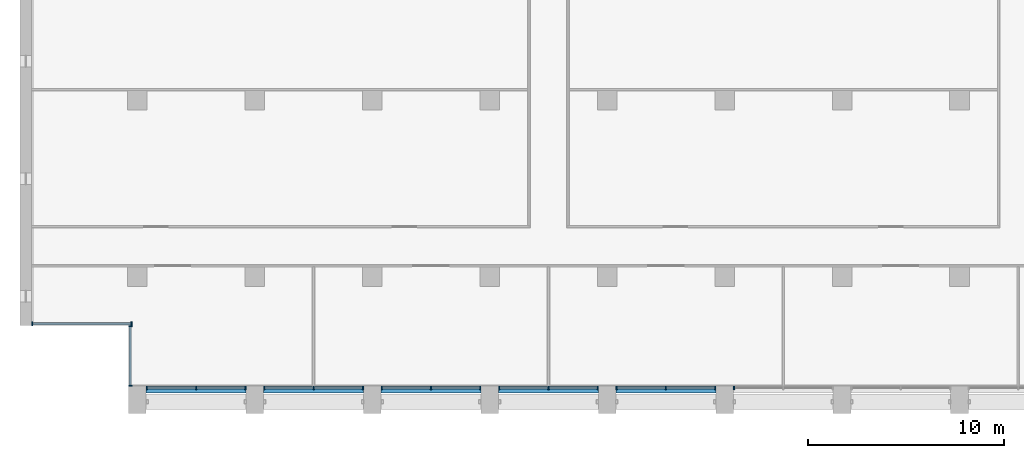
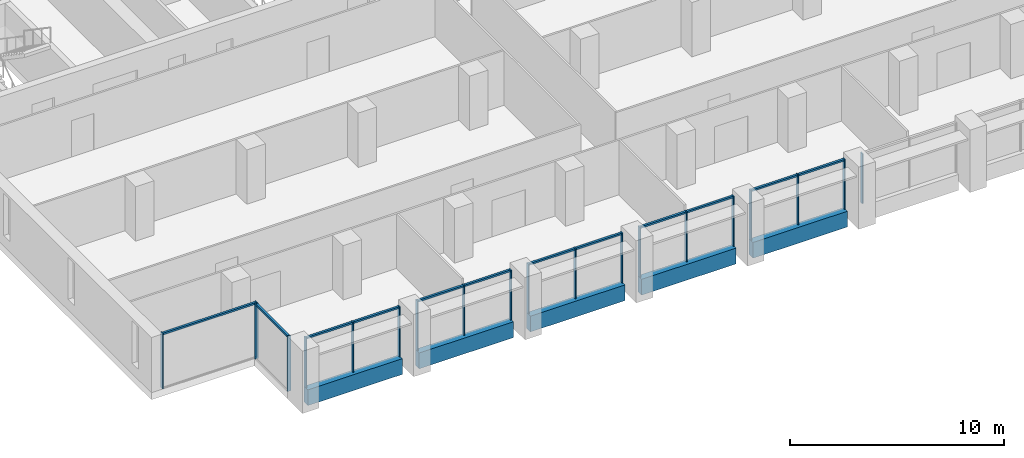
# One storey, part 2 of 16: 32 members, 5 beams, 8 elements without a shape of their own.
"""IFC4 building model written with IfcOpenShell, lengths in metres."""

from ifc_helpers import new_model, si_unit, direction, frame, origin, origin_2d, place, context, subcontext, project, spatial, rectangle, extrude, material, material_profile, profile_set, type_object, element, aggregate, save


model = new_model("IFC4")

# Units and contexts
model_context = context("Model", 3, precision=1e-05, world=origin(), true_north=direction((0.0, 1.0)))
body_context = subcontext(model_context, "Body", "Model", "MODEL_VIEW")
ifc_project = project(units=[si_unit("LENGTHUNIT", "METRE"), si_unit("AREAUNIT", "SQUARE_METRE"), si_unit("VOLUMEUNIT", "CUBIC_METRE"), si_unit("PLANEANGLEUNIT", "RADIAN"), si_unit("MASSUNIT", "GRAM", prefix="KILO")], contexts=[model_context])

# Site, building, storey
site_placement = place(None, origin())
site = spatial("IfcSite", under=ifc_project, at=site_placement, CompositionType="ELEMENT")
building_placement = place(site_placement, origin())
building = spatial("IfcBuilding", under=site, at=building_placement, Name="Calvaro Tower", CompositionType="ELEMENT")
storey_placement = place(building_placement, frame((0.0, 0.0, 223.0)))
storey = spatial("IfcBuildingStorey", under=building, at=storey_placement, Name="L56", CompositionType="ELEMENT", Elevation=223.0)

# Curtain wall, members
ifc_material_1 = material(Name="Anodised aluminium", Category="aluminium")
curtain_wall_type = type_object("IfcCurtainWallType", Name="Office curtain wall, upper zone", PredefinedType="NOTDEFINED", material=ifc_material_1)
curtain_wall_1_placement = place(storey_placement, origin())
curtain_wall_1 = element("IfcCurtainWall", 1, at=curtain_wall_1_placement, inside=storey, type_object=curtain_wall_type, Name="CW3 south curtain wall", PredefinedType="NOTDEFINED")
ifc_material_2 = material(Name="Anodised aluminium", Category="aluminium")
ifc_material_profile_1 = material_profile(ifc_material_2, rectangle(XDim=0.179931640625, YDim=0.06005859375, at=origin_2d()), Name="Mullion S3 60 x 180")
ifc_profile_set_1 = profile_set([ifc_material_profile_1], Name="Anodised aluminium")
member_type_1 = type_object("IfcMemberType", Name="Mullion S3 60 x 180", PredefinedType="MULLION", material=ifc_profile_set_1)
member_1_placement = place(storey_placement, frame((12.47998046875, 4.31005859375, 0.0), z_axis=(0.0, 0.0, 1.0), x_axis=(0.0, 1.0, 0.0)))
member_1 = element("IfcMember", 2, at=member_1_placement, type_object=member_type_1, Name="CW3 mullion 1", PredefinedType="MULLION", context=body_context, shape_type="SweptSolid", body=[
    extrude(rectangle(XDim=0.179931640625, YDim=0.06005859375, at=origin_2d()), origin(), (0.0, 0.0, 1.0), 2.85009765625),
])
member_2_placement = place(storey_placement, frame((15.0, 4.31005859375, 0.0), z_axis=(0.0, 0.0, 1.0), x_axis=(0.0, 1.0, 0.0)))
member_2 = element("IfcMember", 3, at=member_2_placement, type_object=member_type_1, Name="CW3 mullion 2", PredefinedType="MULLION", context=body_context, shape_type="SweptSolid", body=[
    extrude(rectangle(XDim=0.179931640625, YDim=0.06005859375, at=origin_2d()), origin(), (0.0, 0.0, 1.0), 2.85009765625),
])
member_3_placement = place(storey_placement, frame((17.52001953125, 4.31005859375, 0.0), z_axis=(0.0, 0.0, 1.0), x_axis=(0.0, 1.0, 0.0)))
member_3 = element("IfcMember", 4, at=member_3_placement, type_object=member_type_1, Name="CW3 mullion 3", PredefinedType="MULLION", context=body_context, shape_type="SweptSolid", body=[
    extrude(rectangle(XDim=0.179931640625, YDim=0.06005859375, at=origin_2d()), origin(), (0.0, 0.0, 1.0), 2.85009765625),
])

curtain_wall_2_placement = place(storey_placement, origin())
curtain_wall_2 = element("IfcCurtainWall", 5, at=curtain_wall_2_placement, inside=storey, type_object=curtain_wall_type, Name="CW3 south curtain wall", PredefinedType="NOTDEFINED")
member_4_placement = place(storey_placement, frame((18.47998046875, 4.31005859375, 0.0), z_axis=(0.0, 0.0, 1.0), x_axis=(0.0, 1.0, 0.0)))
member_4 = element("IfcMember", 6, at=member_4_placement, type_object=member_type_1, Name="CW3 mullion 1", PredefinedType="MULLION", context=body_context, shape_type="SweptSolid", body=[
    extrude(rectangle(XDim=0.179931640625, YDim=0.06005859375, at=origin_2d()), origin(), (0.0, 0.0, 1.0), 2.85009765625),
])
member_5_placement = place(storey_placement, frame((21.0, 4.31005859375, 0.0), z_axis=(0.0, 0.0, 1.0), x_axis=(0.0, 1.0, 0.0)))
member_5 = element("IfcMember", 7, at=member_5_placement, type_object=member_type_1, Name="CW3 mullion 2", PredefinedType="MULLION", context=body_context, shape_type="SweptSolid", body=[
    extrude(rectangle(XDim=0.179931640625, YDim=0.06005859375, at=origin_2d()), origin(), (0.0, 0.0, 1.0), 2.85009765625),
])
member_6_placement = place(storey_placement, frame((23.52001953125, 4.31005859375, 0.0), z_axis=(0.0, 0.0, 1.0), x_axis=(0.0, 1.0, 0.0)))
member_6 = element("IfcMember", 8, at=member_6_placement, type_object=member_type_1, Name="CW3 mullion 3", PredefinedType="MULLION", context=body_context, shape_type="SweptSolid", body=[
    extrude(rectangle(XDim=0.179931640625, YDim=0.06005859375, at=origin_2d()), origin(), (0.0, 0.0, 1.0), 2.85009765625),
])

curtain_wall_3_placement = place(storey_placement, origin())
curtain_wall_3 = element("IfcCurtainWall", 9, at=curtain_wall_3_placement, inside=storey, type_object=curtain_wall_type, Name="CW3 south curtain wall", PredefinedType="NOTDEFINED")
member_7_placement = place(storey_placement, frame((24.47998046875, 4.31005859375, 0.0), z_axis=(0.0, 0.0, 1.0), x_axis=(0.0, 1.0, 0.0)))
member_7 = element("IfcMember", 10, at=member_7_placement, type_object=member_type_1, Name="CW3 mullion 1", PredefinedType="MULLION", context=body_context, shape_type="SweptSolid", body=[
    extrude(rectangle(XDim=0.179931640625, YDim=0.06005859375, at=origin_2d()), origin(), (0.0, 0.0, 1.0), 2.85009765625),
])
member_8_placement = place(storey_placement, frame((27.0, 4.31005859375, 0.0), z_axis=(0.0, 0.0, 1.0), x_axis=(0.0, 1.0, 0.0)))
member_8 = element("IfcMember", 11, at=member_8_placement, type_object=member_type_1, Name="CW3 mullion 2", PredefinedType="MULLION", context=body_context, shape_type="SweptSolid", body=[
    extrude(rectangle(XDim=0.179931640625, YDim=0.06005859375, at=origin_2d()), origin(), (0.0, 0.0, 1.0), 2.85009765625),
])
member_9_placement = place(storey_placement, frame((29.52001953125, 4.31005859375, 0.0), z_axis=(0.0, 0.0, 1.0), x_axis=(0.0, 1.0, 0.0)))
member_9 = element("IfcMember", 12, at=member_9_placement, type_object=member_type_1, Name="CW3 mullion 3", PredefinedType="MULLION", context=body_context, shape_type="SweptSolid", body=[
    extrude(rectangle(XDim=0.179931640625, YDim=0.06005859375, at=origin_2d()), origin(), (0.0, 0.0, 1.0), 2.85009765625),
])

curtain_wall_4_placement = place(storey_placement, origin())
curtain_wall_4 = element("IfcCurtainWall", 13, at=curtain_wall_4_placement, inside=storey, type_object=curtain_wall_type, Name="CW3 south curtain wall", PredefinedType="NOTDEFINED")
member_10_placement = place(storey_placement, frame((30.47998046875, 4.31005859375, 0.0), z_axis=(0.0, 0.0, 1.0), x_axis=(0.0, 1.0, 0.0)))
member_10 = element("IfcMember", 14, at=member_10_placement, type_object=member_type_1, Name="CW3 mullion 1", PredefinedType="MULLION", context=body_context, shape_type="SweptSolid", body=[
    extrude(rectangle(XDim=0.179931640625, YDim=0.06005859375, at=origin_2d()), origin(), (0.0, 0.0, 1.0), 2.85009765625),
])
member_11_placement = place(storey_placement, frame((33.0, 4.31005859375, 0.0), z_axis=(0.0, 0.0, 1.0), x_axis=(0.0, 1.0, 0.0)))
member_11 = element("IfcMember", 15, at=member_11_placement, type_object=member_type_1, Name="CW3 mullion 2", PredefinedType="MULLION", context=body_context, shape_type="SweptSolid", body=[
    extrude(rectangle(XDim=0.179931640625, YDim=0.06005859375, at=origin_2d()), origin(), (0.0, 0.0, 1.0), 2.85009765625),
])
member_12_placement = place(storey_placement, frame((35.52001953125, 4.31005859375, 0.0), z_axis=(0.0, 0.0, 1.0), x_axis=(0.0, 1.0, 0.0)))
member_12 = element("IfcMember", 16, at=member_12_placement, type_object=member_type_1, Name="CW3 mullion 3", PredefinedType="MULLION", context=body_context, shape_type="SweptSolid", body=[
    extrude(rectangle(XDim=0.179931640625, YDim=0.06005859375, at=origin_2d()), origin(), (0.0, 0.0, 1.0), 2.85009765625),
])

curtain_wall_5_placement = place(storey_placement, origin())
curtain_wall_5 = element("IfcCurtainWall", 17, at=curtain_wall_5_placement, inside=storey, type_object=curtain_wall_type, Name="CW3 south curtain wall", PredefinedType="NOTDEFINED")
member_13_placement = place(storey_placement, frame((36.47998046875, 4.31005859375, 0.0), z_axis=(0.0, 0.0, 1.0), x_axis=(0.0, 1.0, 0.0)))
member_13 = element("IfcMember", 18, at=member_13_placement, type_object=member_type_1, Name="CW3 mullion 1", PredefinedType="MULLION", context=body_context, shape_type="SweptSolid", body=[
    extrude(rectangle(XDim=0.179931640625, YDim=0.06005859375, at=origin_2d()), origin(), (0.0, 0.0, 1.0), 2.85009765625),
])
member_14_placement = place(storey_placement, frame((39.0, 4.31005859375, 0.0), z_axis=(0.0, 0.0, 1.0), x_axis=(0.0, 1.0, 0.0)))
member_14 = element("IfcMember", 19, at=member_14_placement, type_object=member_type_1, Name="CW3 mullion 2", PredefinedType="MULLION", context=body_context, shape_type="SweptSolid", body=[
    extrude(rectangle(XDim=0.179931640625, YDim=0.06005859375, at=origin_2d()), origin(), (0.0, 0.0, 1.0), 2.85009765625),
])
member_15_placement = place(storey_placement, frame((41.52001953125, 4.31005859375, 0.0), z_axis=(0.0, 0.0, 1.0), x_axis=(0.0, 1.0, 0.0)))
member_15 = element("IfcMember", 20, at=member_15_placement, type_object=member_type_1, Name="CW3 mullion 3", PredefinedType="MULLION", context=body_context, shape_type="SweptSolid", body=[
    extrude(rectangle(XDim=0.179931640625, YDim=0.06005859375, at=origin_2d()), origin(), (0.0, 0.0, 1.0), 2.85009765625),
])

# Curtain wall, member
curtain_wall_6_placement = place(storey_placement, origin())
curtain_wall_6 = element("IfcCurtainWall", 21, at=curtain_wall_6_placement, inside=storey, type_object=curtain_wall_type, Name="CW3 south curtain wall", PredefinedType="NOTDEFINED")
member_16_placement = place(storey_placement, frame((42.47998046875, 4.31005859375, 0.0), z_axis=(0.0, 0.0, 1.0), x_axis=(0.0, 1.0, 0.0)))
member_16 = element("IfcMember", 22, at=member_16_placement, type_object=member_type_1, Name="CW3 mullion 1", PredefinedType="MULLION", context=body_context, shape_type="SweptSolid", body=[
    extrude(rectangle(XDim=0.179931640625, YDim=0.06005859375, at=origin_2d()), origin(), (0.0, 0.0, 1.0), 2.85009765625),
])
aggregate(curtain_wall_6, [member_16])

# Curtain wall, members
curtain_wall_7_placement = place(storey_placement, origin())
curtain_wall_7 = element("IfcCurtainWall", 23, at=curtain_wall_7_placement, inside=storey, type_object=curtain_wall_type, Name="CW3 corner curtain wall", PredefinedType="NOTDEFINED")
member_17_placement = place(storey_placement, frame((11.639892578125, 4.429931640625, 0.0), z_axis=(0.0, 0.0, 1.0), x_axis=(-1.0, 0.0, 0.0)))
member_17 = element("IfcMember", 24, at=member_17_placement, type_object=member_type_1, Name="CW3 mullion 1", PredefinedType="MULLION", context=body_context, shape_type="SweptSolid", body=[
    extrude(rectangle(XDim=0.179931640625, YDim=0.06005859375, at=origin_2d()), origin(), (0.0, 0.0, 1.0), 3.14990234375),
])
member_18_placement = place(storey_placement, frame((11.639892578125, 7.469970703125, 0.0), z_axis=(0.0, 0.0, 1.0), x_axis=(-1.0, 0.0, 0.0)))
member_18 = element("IfcMember", 25, at=member_18_placement, type_object=member_type_1, Name="CW3 mullion 2", PredefinedType="MULLION", context=body_context, shape_type="SweptSolid", body=[
    extrude(rectangle(XDim=0.179931640625, YDim=0.06005859375, at=origin_2d()), origin(), (0.0, 0.0, 1.0), 3.14990234375),
])

curtain_wall_8_placement = place(storey_placement, origin())
curtain_wall_8 = element("IfcCurtainWall", 26, at=curtain_wall_8_placement, inside=storey, type_object=curtain_wall_type, Name="CW3 corner curtain wall", PredefinedType="NOTDEFINED")
member_19_placement = place(storey_placement, frame((6.6298828125, 7.590087890625, 0.0), z_axis=(0.0, 0.0, 1.0), x_axis=(0.0, 1.0, 0.0)))
member_19 = element("IfcMember", 27, at=member_19_placement, type_object=member_type_1, Name="CW3 mullion 1", PredefinedType="MULLION", context=body_context, shape_type="SweptSolid", body=[
    extrude(rectangle(XDim=0.179931640625, YDim=0.06005859375, at=origin_2d()), origin(), (0.0, 0.0, 1.0), 3.14990234375),
])
member_20_placement = place(storey_placement, frame((11.699951171875, 7.590087890625, 0.0), z_axis=(0.0, 0.0, 1.0), x_axis=(0.0, 1.0, 0.0)))
member_20 = element("IfcMember", 28, at=member_20_placement, type_object=member_type_1, Name="CW3 mullion 2", PredefinedType="MULLION", context=body_context, shape_type="SweptSolid", body=[
    extrude(rectangle(XDim=0.179931640625, YDim=0.06005859375, at=origin_2d()), origin(), (0.0, 0.0, 1.0), 3.14990234375),
])

# Beams
ifc_material_3 = material(Name="Concrete C50/60 precast", Category="concrete")
ifc_material_profile_2 = material_profile(ifc_material_3, rectangle(XDim=0.35009765625, YDim=0.89990234375, at=origin_2d()), Name="RC 350x900")
ifc_profile_set_2 = profile_set([ifc_material_profile_2], Name="Concrete C50/60 precast")
beam_type = type_object("IfcBeamType", Name="Spandrel beam 350x900 C50/60", PredefinedType="SPANDREL", material=ifc_profile_set_2)
for number, where, z_axis, x_axis, name in (
    (29, (12.449951171875, 4.22509765625, -0.449951171875), (1.0, 0.0, 0.0), (0.0, 1.0, 0.0), "Spandrel beam"),
    (30, (18.449951171875, 4.22509765625, -0.449951171875), (1.0, 0.0, 0.0), (0.0, 1.0, 0.0), "Spandrel beam"),
    (31, (24.449951171875, 4.22509765625, -0.449951171875), (1.0, 0.0, 0.0), (0.0, 1.0, 0.0), "Spandrel beam"),
    (32, (30.449951171875, 4.22509765625, -0.449951171875), (1.0, 0.0, 0.0), (0.0, 1.0, 0.0), "Spandrel beam"),
    (33, (36.449951171875, 4.22509765625, -0.449951171875), (1.0, 0.0, 0.0), (0.0, 1.0, 0.0), "Spandrel beam"),
):
    element("IfcBeam", number, at=place(storey_placement, frame(where, z_axis=z_axis, x_axis=x_axis)), inside=storey, type_object=beam_type, Name=name, PredefinedType="SPANDREL", context=body_context, shape_type="SweptSolid", body=[
        extrude(rectangle(XDim=0.35009765625, YDim=0.89990234375, at=origin_2d()), origin(), (0.0, 0.0, 1.0), 5.10009765625),
    ])

# Member
ifc_material_4 = material(Name="Anodised aluminium", Category="aluminium")
ifc_material_profile_3 = material_profile(ifc_material_4, rectangle(XDim=0.1201171875, YDim=0.10009765625, at=origin_2d()), Name="Transom S3 100 x 120")
ifc_profile_set_3 = profile_set([ifc_material_profile_3], Name="Anodised aluminium")
member_type_2 = type_object("IfcMemberType", Name="Transom S3 100 x 120", PredefinedType="USERDEFINED", material=ifc_profile_set_3)
member_21_placement = place(storey_placement, frame((12.510009765625, 4.31005859375, 2.800048828125), z_axis=(1.0, 0.0, 0.0), x_axis=(0.0, 1.0, 0.0)))
member_21 = element("IfcMember", 34, at=member_21_placement, type_object=member_type_2, Name="CW3 transom 1.1", ObjectType="TRANSOM", PredefinedType="USERDEFINED", context=body_context, shape_type="SweptSolid", body=[
    extrude(rectangle(XDim=0.1201171875, YDim=0.10009765625, at=origin_2d()), origin(), (0.0, 0.0, 1.0), 2.4599609375),
])

member_22_placement = place(storey_placement, frame((15.030029296875, 4.31005859375, 2.800048828125), z_axis=(1.0, 0.0, 0.0), x_axis=(0.0, 1.0, 0.0)))
member_22 = element("IfcMember", 35, at=member_22_placement, type_object=member_type_2, Name="CW3 transom 2.1", ObjectType="TRANSOM", PredefinedType="USERDEFINED", context=body_context, shape_type="SweptSolid", body=[
    extrude(rectangle(XDim=0.1201171875, YDim=0.10009765625, at=origin_2d()), origin(), (0.0, 0.0, 1.0), 2.4599609375),
])

aggregate(curtain_wall_1, [member_1, member_2, member_3, member_21, member_22])

member_23_placement = place(storey_placement, frame((18.510009765625, 4.31005859375, 2.800048828125), z_axis=(1.0, 0.0, 0.0), x_axis=(0.0, 1.0, 0.0)))
member_23 = element("IfcMember", 36, at=member_23_placement, type_object=member_type_2, Name="CW3 transom 1.1", ObjectType="TRANSOM", PredefinedType="USERDEFINED", context=body_context, shape_type="SweptSolid", body=[
    extrude(rectangle(XDim=0.1201171875, YDim=0.10009765625, at=origin_2d()), origin(), (0.0, 0.0, 1.0), 2.4599609375),
])

member_24_placement = place(storey_placement, frame((21.030029296875, 4.31005859375, 2.800048828125), z_axis=(1.0, 0.0, 0.0), x_axis=(0.0, 1.0, 0.0)))
member_24 = element("IfcMember", 37, at=member_24_placement, type_object=member_type_2, Name="CW3 transom 2.1", ObjectType="TRANSOM", PredefinedType="USERDEFINED", context=body_context, shape_type="SweptSolid", body=[
    extrude(rectangle(XDim=0.1201171875, YDim=0.10009765625, at=origin_2d()), origin(), (0.0, 0.0, 1.0), 2.4599609375),
])

aggregate(curtain_wall_2, [member_4, member_5, member_6, member_23, member_24])

member_25_placement = place(storey_placement, frame((24.510009765625, 4.31005859375, 2.800048828125), z_axis=(1.0, 0.0, 0.0), x_axis=(0.0, 1.0, 0.0)))
member_25 = element("IfcMember", 38, at=member_25_placement, type_object=member_type_2, Name="CW3 transom 1.1", ObjectType="TRANSOM", PredefinedType="USERDEFINED", context=body_context, shape_type="SweptSolid", body=[
    extrude(rectangle(XDim=0.1201171875, YDim=0.10009765625, at=origin_2d()), origin(), (0.0, 0.0, 1.0), 2.4599609375),
])

member_26_placement = place(storey_placement, frame((27.030029296875, 4.31005859375, 2.800048828125), z_axis=(1.0, 0.0, 0.0), x_axis=(0.0, 1.0, 0.0)))
member_26 = element("IfcMember", 39, at=member_26_placement, type_object=member_type_2, Name="CW3 transom 2.1", ObjectType="TRANSOM", PredefinedType="USERDEFINED", context=body_context, shape_type="SweptSolid", body=[
    extrude(rectangle(XDim=0.1201171875, YDim=0.10009765625, at=origin_2d()), origin(), (0.0, 0.0, 1.0), 2.4599609375),
])

aggregate(curtain_wall_3, [member_7, member_8, member_9, member_25, member_26])

member_27_placement = place(storey_placement, frame((30.510009765625, 4.31005859375, 2.800048828125), z_axis=(1.0, 0.0, 0.0), x_axis=(0.0, 1.0, 0.0)))
member_27 = element("IfcMember", 40, at=member_27_placement, type_object=member_type_2, Name="CW3 transom 1.1", ObjectType="TRANSOM", PredefinedType="USERDEFINED", context=body_context, shape_type="SweptSolid", body=[
    extrude(rectangle(XDim=0.1201171875, YDim=0.10009765625, at=origin_2d()), origin(), (0.0, 0.0, 1.0), 2.4599609375),
])

member_28_placement = place(storey_placement, frame((33.030029296875, 4.31005859375, 2.800048828125), z_axis=(1.0, 0.0, 0.0), x_axis=(0.0, 1.0, 0.0)))
member_28 = element("IfcMember", 41, at=member_28_placement, type_object=member_type_2, Name="CW3 transom 2.1", ObjectType="TRANSOM", PredefinedType="USERDEFINED", context=body_context, shape_type="SweptSolid", body=[
    extrude(rectangle(XDim=0.1201171875, YDim=0.10009765625, at=origin_2d()), origin(), (0.0, 0.0, 1.0), 2.4599609375),
])

aggregate(curtain_wall_4, [member_10, member_11, member_12, member_27, member_28])

member_29_placement = place(storey_placement, frame((36.510009765625, 4.31005859375, 2.800048828125), z_axis=(1.0, 0.0, 0.0), x_axis=(0.0, 1.0, 0.0)))
member_29 = element("IfcMember", 42, at=member_29_placement, type_object=member_type_2, Name="CW3 transom 1.1", ObjectType="TRANSOM", PredefinedType="USERDEFINED", context=body_context, shape_type="SweptSolid", body=[
    extrude(rectangle(XDim=0.1201171875, YDim=0.10009765625, at=origin_2d()), origin(), (0.0, 0.0, 1.0), 2.4599609375),
])

member_30_placement = place(storey_placement, frame((39.030029296875, 4.31005859375, 2.800048828125), z_axis=(1.0, 0.0, 0.0), x_axis=(0.0, 1.0, 0.0)))
member_30 = element("IfcMember", 43, at=member_30_placement, type_object=member_type_2, Name="CW3 transom 2.1", ObjectType="TRANSOM", PredefinedType="USERDEFINED", context=body_context, shape_type="SweptSolid", body=[
    extrude(rectangle(XDim=0.1201171875, YDim=0.10009765625, at=origin_2d()), origin(), (0.0, 0.0, 1.0), 2.4599609375),
])

aggregate(curtain_wall_5, [member_13, member_14, member_15, member_29, member_30])

member_31_placement = place(storey_placement, frame((11.639892578125, 4.4599609375, 3.10009765625), z_axis=(0.0, 1.0, 0.0), x_axis=(-1.0, 0.0, 0.0)))
member_31 = element("IfcMember", 44, at=member_31_placement, type_object=member_type_2, Name="CW3 transom 1.1", ObjectType="TRANSOM", PredefinedType="USERDEFINED", context=body_context, shape_type="SweptSolid", body=[
    extrude(rectangle(XDim=0.1201171875, YDim=0.10009765625, at=origin_2d()), origin(), (0.0, 0.0, 1.0), 2.97998046875),
])

aggregate(curtain_wall_7, [member_17, member_18, member_31])

member_32_placement = place(storey_placement, frame((6.659912109375, 7.590087890625, 3.10009765625), z_axis=(1.0, 0.0, 0.0), x_axis=(0.0, 1.0, 0.0)))
member_32 = element("IfcMember", 45, at=member_32_placement, type_object=member_type_2, Name="CW3 transom 1.1", ObjectType="TRANSOM", PredefinedType="USERDEFINED", context=body_context, shape_type="SweptSolid", body=[
    extrude(rectangle(XDim=0.1201171875, YDim=0.10009765625, at=origin_2d()), origin(), (0.0, 0.0, 1.0), 5.010009765625),
])

aggregate(curtain_wall_8, [member_19, member_20, member_32])

save(model, "model.ifc")
